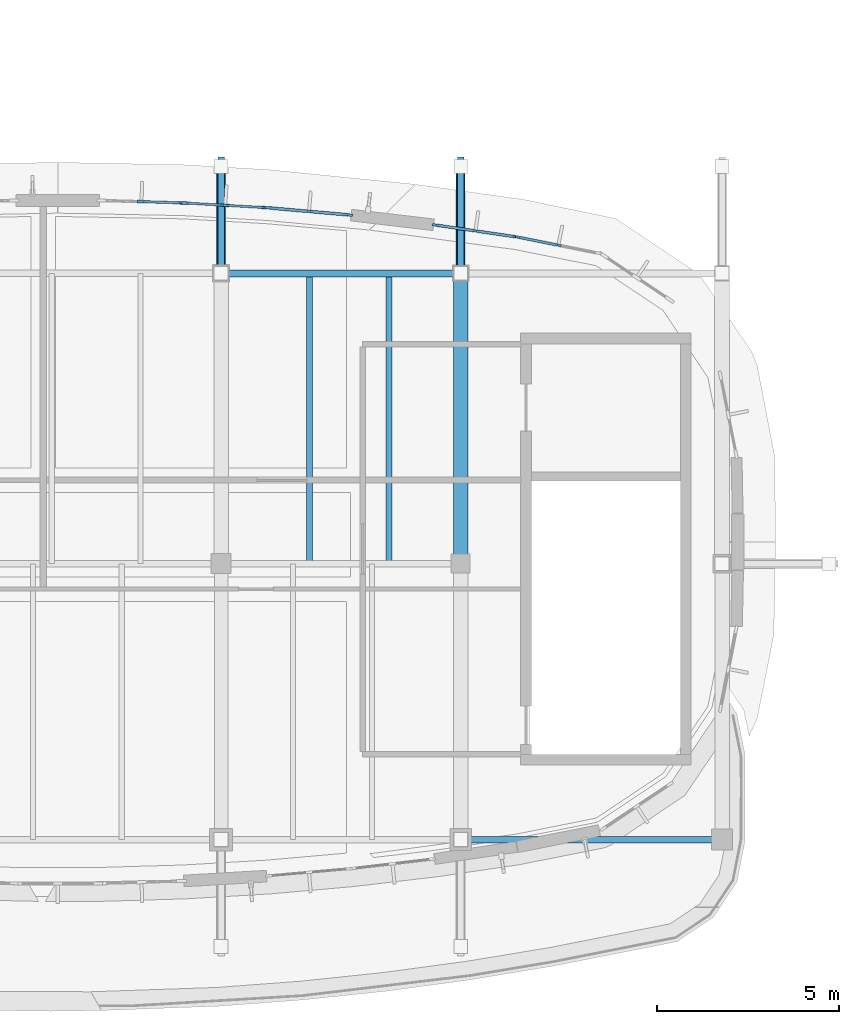
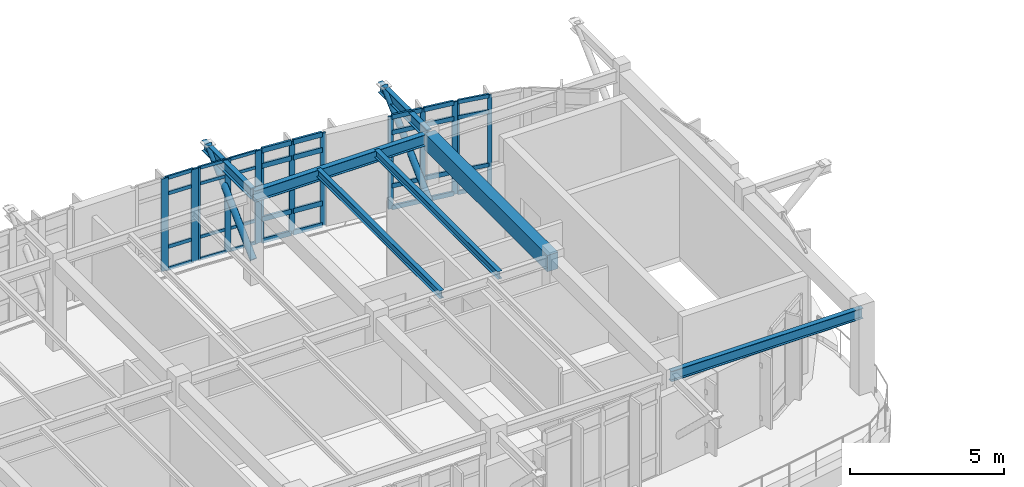
# One storey, part 26 of 105: 47 members, 7 beams, 5 elements without a shape of their own.
"""IFC4 building model written with IfcOpenShell, lengths in metres."""

from ifc_helpers import new_model, si_unit, direction, frame, origin, origin_2d, place, context, subcontext, project, spatial, rectangle, hollow_circle, i_section, extrude, material, material_profile, profile_set, type_object, element, aggregate, save


model = new_model("IFC4")

# Units and contexts
model_context = context("Model", 3, precision=1e-05, world=origin(), true_north=direction((0.0, 1.0)))
body_context = subcontext(model_context, "Body", "Model", "MODEL_VIEW")
ifc_project = project(units=[si_unit("LENGTHUNIT", "METRE"), si_unit("AREAUNIT", "SQUARE_METRE"), si_unit("VOLUMEUNIT", "CUBIC_METRE"), si_unit("PLANEANGLEUNIT", "RADIAN"), si_unit("MASSUNIT", "GRAM", prefix="KILO")], contexts=[model_context])

# Site, building, storey
site_placement = place(None, origin())
site = spatial("IfcSite", under=ifc_project, at=site_placement, CompositionType="ELEMENT")
building_placement = place(site_placement, origin())
building = spatial("IfcBuilding", under=site, at=building_placement, Name="Corveleigh Park Community Centre", CompositionType="ELEMENT")
storey_placement = place(building_placement, frame((0.0, 0.0, 8.699951171875)))
storey = spatial("IfcBuildingStorey", under=building, at=storey_placement, Name="L02", CompositionType="ELEMENT", Elevation=8.699951171875)

# Beams
ifc_material_1 = material(Name="Concrete C40/50", Category="concrete")
ifc_material_profile_1 = material_profile(ifc_material_1, rectangle(XDim=0.39990234375, YDim=0.64990234375, at=origin_2d()), Name="RC-400x650", Category="concrete")
ifc_profile_set_1 = profile_set([ifc_material_profile_1], Name="Concrete C40/50")
beam_type_1 = type_object("IfcBeamType", Name="BM-RC-400x650", PredefinedType="BEAM", material=ifc_profile_set_1)
beam_1_placement = place(storey_placement, frame((100.800048828125, 18.804931640625, 3.287109375), z_axis=(0.0, 1.0, 0.0), x_axis=(-1.0, 0.0, 0.0)))
element("IfcBeam", 1, at=beam_1_placement, inside=storey, type_object=beam_type_1, Name="V3 Girder Y", PredefinedType="BEAM", context=body_context, shape_type="SweptSolid", body=[
    extrude(rectangle(XDim=0.39990234375, YDim=0.64990234375, at=origin_2d()), origin(), (0.0, 0.0, 1.0), 7.989990234375),
])
ifc_material_2 = material(Name="Steel S355", Category="steel")
ifc_material_profile_2 = material_profile(ifc_material_2, i_section(OverallWidth=0.1650390625, OverallDepth=0.303466796875, WebThickness=0.006103515625, FlangeThickness=0.01025390625, at=origin_2d()), Name="UKB 305x165x40", Category="steel")
ifc_profile_set_2 = profile_set([ifc_material_profile_2], Name="Steel S355")
beam_type_2 = type_object("IfcBeamType", Name="BM-STL-UKB305x40", PredefinedType="JOIST", material=ifc_profile_set_2)
for number, where, z_axis, x_axis, name in (
    (2, (96.64208984375, 18.804931640625, 3.46044921875), (0.0, 1.0, 0.0), (-1.0, 0.0, 0.0), "Secondary floor joist"),
    (3, (98.820068359375, 18.804931640625, 3.46044921875), (0.0, 1.0, 0.0), (-1.0, 0.0, 0.0), "Secondary floor joist"),
):
    element("IfcBeam", number, at=place(storey_placement, frame(where, z_axis=z_axis, x_axis=x_axis)), inside=storey, type_object=beam_type_2, Name=name, PredefinedType="JOIST", context=body_context, shape_type="SweptSolid", body=[
        extrude(i_section(OverallWidth=0.1650390625, OverallDepth=0.303466796875, WebThickness=0.006103515625, FlangeThickness=0.01025390625, at=origin_2d()), origin(), (0.0, 0.0, 1.0), 7.989990234375),
    ])
ifc_material_profile_3 = material_profile(ifc_material_2, i_section(OverallWidth=0.1787109375, OverallDepth=0.409423828125, WebThickness=0.0087890625, FlangeThickness=0.014404296875, at=origin_2d()), Name="UKB 406x178x67", Category="steel")
ifc_profile_set_3 = profile_set([ifc_material_profile_3], Name="Steel S355")
beam_type_3 = type_object("IfcBeamType", Name="BM-STL-UKB406x67", PredefinedType="BEAM", material=ifc_profile_set_3)
for number, where, z_axis, x_axis, name in (
    (4, (94.199951171875, 26.81005859375, 3.459228515625), (0.0, 1.0, 0.0), (-1.0, 0.0, 0.0), "V3 Pebble Overhang Strut 4-2 Outrigger"),
    (5, (100.800048828125, 26.81005859375, 3.459228515625), (0.0, 1.0, 0.0), (-1.0, 0.0, 0.0), "V3 Pebble Overhang Strut 5-2 Outrigger"),
):
    element("IfcBeam", number, at=place(storey_placement, frame(where, z_axis=z_axis, x_axis=x_axis)), inside=storey, type_object=beam_type_3, Name=name, PredefinedType="BEAM", context=body_context, shape_type="SweptSolid", body=[
        extrude(i_section(OverallWidth=0.1787109375, OverallDepth=0.409423828125, WebThickness=0.0087890625, FlangeThickness=0.014404296875, at=origin_2d()), origin(), (0.0, 0.0, 1.0), 3.18994140625),
    ])
ifc_material_profile_4 = material_profile(ifc_material_2, i_section(OverallWidth=0.179443359375, OverallDepth=0.412841796875, WebThickness=0.009521484375, FlangeThickness=0.01611328125, at=origin_2d()), Name="UKB 406x178x74", Category="steel")
ifc_profile_set_4 = profile_set([ifc_material_profile_4], Name="Steel S355")
beam_type_4 = type_object("IfcBeamType", Name="BM-STL-UKB406x74", PredefinedType="BEAM", material=ifc_profile_set_4)
beam_2_placement = place(storey_placement, frame((100.804931640625, 11.199951171875, 3.40576171875), z_axis=(1.0, 0.0, 0.0), x_axis=(0.0, 1.0, 0.0)))
element("IfcBeam", 6, at=beam_2_placement, inside=storey, type_object=beam_type_4, Name="V3 Girder X", PredefinedType="BEAM", context=body_context, shape_type="SweptSolid", body=[
    extrude(i_section(OverallWidth=0.179443359375, OverallDepth=0.412841796875, WebThickness=0.009521484375, FlangeThickness=0.01611328125, at=origin_2d()), origin(), (0.0, 0.0, 1.0), 7.190185546875),
])
ifc_material_profile_5 = material_profile(ifc_material_2, i_section(OverallWidth=0.18994140625, OverallDepth=0.453369140625, WebThickness=0.008544921875, FlangeThickness=0.0126953125, at=origin_2d()), Name="UKB 457x191x67", Category="steel")
ifc_profile_set_5 = profile_set([ifc_material_profile_5], Name="Steel S355")
beam_type_5 = type_object("IfcBeamType", Name="BM-STL-UKB457x67", PredefinedType="BEAM", material=ifc_profile_set_5)
beam_3_placement = place(storey_placement, frame((94.205078125, 26.800048828125, 3.38525390625), z_axis=(1.0, 0.0, 0.0), x_axis=(0.0, 1.0, 0.0)))
element("IfcBeam", 7, at=beam_3_placement, inside=storey, type_object=beam_type_5, Name="V3 Girder X", PredefinedType="BEAM", context=body_context, shape_type="SweptSolid", body=[
    extrude(i_section(OverallWidth=0.18994140625, OverallDepth=0.453369140625, WebThickness=0.008544921875, FlangeThickness=0.0126953125, at=origin_2d()), origin(), (0.0, 0.0, 1.0), 6.58984375),
])

# Curtain wall, members
ifc_material_3 = material(Name="Anodised aluminium 6063-T6", Category="aluminium")
curtain_wall_type = type_object("IfcCurtainWallType", Name="CW-SYS-V3-UPP", PredefinedType="NOTDEFINED", material=ifc_material_3)
curtain_wall_1_placement = place(storey_placement, origin())
curtain_wall_1 = element("IfcCurtainWall", 8, at=curtain_wall_1_placement, inside=storey, type_object=curtain_wall_type, Name="V3 L02 Curtain Wall 343", PredefinedType="NOTDEFINED")
ifc_material_profile_6 = material_profile(ifc_material_3, rectangle(XDim=0.06005859375, YDim=0.159912109375, at=origin_2d()), Name="ALU-M60x160", Category="aluminium")
ifc_profile_set_6 = profile_set([ifc_material_profile_6], Name="Anodised aluminium 6063-T6")
member_type_1 = type_object("IfcMemberType", Name="CWM-60x160", PredefinedType="MULLION", material=ifc_profile_set_6)
member_1_placement = place(storey_placement, frame((102.392333984375, 27.792236328125, 0.0), z_axis=(0.0, 0.0, 1.0), x_axis=(0.194947048267, 0.980813768445, 0.0)))
member_1 = element("IfcMember", 9, at=member_1_placement, type_object=member_type_1, Name="CW06 mullion 1", PredefinedType="MULLION", context=body_context, shape_type="SweptSolid", body=[
    extrude(rectangle(XDim=0.06005859375, YDim=0.159912109375, at=origin_2d()), origin(), (0.0, 0.0, 1.0), 3.6640625),
])
member_2_placement = place(storey_placement, frame((103.492431640625, 27.573486328125, 0.0), z_axis=(0.0, 0.0, 1.0), x_axis=(0.194947048267, 0.980813768445, 0.0)))
member_2 = element("IfcMember", 10, at=member_2_placement, type_object=member_type_1, Name="CW06 mullion 2", PredefinedType="MULLION", context=body_context, shape_type="SweptSolid", body=[
    extrude(rectangle(XDim=0.06005859375, YDim=0.159912109375, at=origin_2d()), origin(), (0.0, 0.0, 1.0), 3.6640625),
])

curtain_wall_2_placement = place(storey_placement, origin())
curtain_wall_2 = element("IfcCurtainWall", 11, at=curtain_wall_2_placement, inside=storey, type_object=curtain_wall_type, Name="V3 L02 Curtain Wall 344", PredefinedType="NOTDEFINED")
ifc_material_profile_7 = material_profile(ifc_material_3, rectangle(XDim=0.06494140625, YDim=0.179931640625, at=origin_2d()), Name="ALU-M65x180", Category="aluminium")
ifc_profile_set_7 = profile_set([ifc_material_profile_7], Name="Anodised aluminium 6063-T6")
member_type_2 = type_object("IfcMemberType", Name="CWM-65x180", PredefinedType="MULLION", material=ifc_profile_set_7)
member_3_placement = place(storey_placement, frame((100.107177734375, 28.12939453125, 0.0), z_axis=(0.0, 0.0, 1.0), x_axis=(0.144966003251, 0.989436636628, 0.0)))
member_3 = element("IfcMember", 12, at=member_3_placement, type_object=member_type_2, Name="CW06 mullion 1", PredefinedType="MULLION", context=body_context, shape_type="SweptSolid", body=[
    extrude(rectangle(XDim=0.06494140625, YDim=0.179931640625, at=origin_2d()), origin(), (0.0, 0.0, 1.0), 3.6640625),
])
member_4_placement = place(storey_placement, frame((101.2080078125, 27.968017578125, 0.0), z_axis=(0.0, 0.0, 1.0), x_axis=(0.144966003251, 0.989436636628, 0.0)))
member_4 = element("IfcMember", 13, at=member_4_placement, type_object=member_type_2, Name="CW06 mullion 2", PredefinedType="MULLION", context=body_context, shape_type="SweptSolid", body=[
    extrude(rectangle(XDim=0.06494140625, YDim=0.179931640625, at=origin_2d()), origin(), (0.0, 0.0, 1.0), 3.6640625),
])
member_5_placement = place(storey_placement, frame((102.308837890625, 27.806640625, 0.0), z_axis=(0.0, 0.0, 1.0), x_axis=(0.144966003251, 0.989436636628, 0.0)))
member_5 = element("IfcMember", 14, at=member_5_placement, type_object=member_type_2, Name="CW06 mullion 3", PredefinedType="MULLION", context=body_context, shape_type="SweptSolid", body=[
    extrude(rectangle(XDim=0.06494140625, YDim=0.179931640625, at=origin_2d()), origin(), (0.0, 0.0, 1.0), 3.6640625),
])

curtain_wall_3_placement = place(storey_placement, origin())
curtain_wall_3 = element("IfcCurtainWall", 15, at=curtain_wall_3_placement, inside=storey, type_object=curtain_wall_type, Name="V3 L02 Curtain Wall 345", PredefinedType="NOTDEFINED")
ifc_material_profile_8 = material_profile(ifc_material_3, rectangle(XDim=0.070068359375, YDim=0.199951171875, at=origin_2d()), Name="ALU-M70x200", Category="aluminium")
ifc_profile_set_8 = profile_set([ifc_material_profile_8], Name="Anodised aluminium 6063-T6")
member_type_3 = type_object("IfcMemberType", Name="CWM-70x200", PredefinedType="MULLION", material=ifc_profile_set_8)
member_6_placement = place(storey_placement, frame((95.513916015625, 28.60205078125, 0.0), z_axis=(0.0, 0.0, 1.0), x_axis=(0.0872318769, 0.996188034285, 0.0)))
member_6 = element("IfcMember", 16, at=member_6_placement, type_object=member_type_3, Name="CW06 mullion 1", PredefinedType="MULLION", context=body_context, shape_type="SweptSolid", body=[
    extrude(rectangle(XDim=0.070068359375, YDim=0.199951171875, at=origin_2d()), origin(), (0.0, 0.0, 1.0), 3.6640625),
])
member_7_placement = place(storey_placement, frame((96.62109375, 28.5048828125, 0.0), z_axis=(0.0, 0.0, 1.0), x_axis=(0.0872318769, 0.996188034285, 0.0)))
member_7 = element("IfcMember", 17, at=member_7_placement, type_object=member_type_3, Name="CW06 mullion 2", PredefinedType="MULLION", context=body_context, shape_type="SweptSolid", body=[
    extrude(rectangle(XDim=0.070068359375, YDim=0.199951171875, at=origin_2d()), origin(), (0.0, 0.0, 1.0), 3.6640625),
])
member_8_placement = place(storey_placement, frame((97.72802734375, 28.407958984375, 0.0), z_axis=(0.0, 0.0, 1.0), x_axis=(0.0872318769, 0.996188034285, 0.0)))
member_8 = element("IfcMember", 18, at=member_8_placement, type_object=member_type_3, Name="CW06 mullion 3", PredefinedType="MULLION", context=body_context, shape_type="SweptSolid", body=[
    extrude(rectangle(XDim=0.070068359375, YDim=0.199951171875, at=origin_2d()), origin(), (0.0, 0.0, 1.0), 3.6640625),
])

curtain_wall_4_placement = place(storey_placement, origin())
curtain_wall_4 = element("IfcCurtainWall", 19, at=curtain_wall_4_placement, inside=storey, type_object=curtain_wall_type, Name="V3 L02 Curtain Wall 346", PredefinedType="NOTDEFINED")
ifc_material_profile_9 = material_profile(ifc_material_3, rectangle(XDim=0.074951171875, YDim=0.219970703125, at=origin_2d()), Name="ALU-M75x220", Category="aluminium")
ifc_profile_set_9 = profile_set([ifc_material_profile_9], Name="Anodised aluminium 6063-T6")
member_type_4 = type_object("IfcMemberType", Name="CWM-75x220", PredefinedType="MULLION", material=ifc_profile_set_9)
member_9_placement = place(storey_placement, frame((93.21044921875, 28.73681640625, 0.0), z_axis=(0.0, 0.0, 1.0), x_axis=(0.057596535089, 0.998339941676, 0.0)))
member_9 = element("IfcMember", 20, at=member_9_placement, type_object=member_type_4, Name="CW06 mullion 1", PredefinedType="MULLION", context=body_context, shape_type="SweptSolid", body=[
    extrude(rectangle(XDim=0.074951171875, YDim=0.219970703125, at=origin_2d()), origin(), (0.0, 0.0, 1.0), 3.6640625),
])
member_10_placement = place(storey_placement, frame((94.31689453125, 28.673095703125, 0.0), z_axis=(0.0, 0.0, 1.0), x_axis=(0.057596535089, 0.998339941676, 0.0)))
member_10 = element("IfcMember", 21, at=member_10_placement, type_object=member_type_4, Name="CW06 mullion 2", PredefinedType="MULLION", context=body_context, shape_type="SweptSolid", body=[
    extrude(rectangle(XDim=0.074951171875, YDim=0.219970703125, at=origin_2d()), origin(), (0.0, 0.0, 1.0), 3.6640625),
])
member_11_placement = place(storey_placement, frame((95.423583984375, 28.609130859375, 0.0), z_axis=(0.0, 0.0, 1.0), x_axis=(0.057596535089, 0.998339941676, 0.0)))
member_11 = element("IfcMember", 22, at=member_11_placement, type_object=member_type_4, Name="CW06 mullion 3", PredefinedType="MULLION", context=body_context, shape_type="SweptSolid", body=[
    extrude(rectangle(XDim=0.074951171875, YDim=0.219970703125, at=origin_2d()), origin(), (0.0, 0.0, 1.0), 3.6640625),
])

curtain_wall_5_placement = place(storey_placement, origin())
curtain_wall_5 = element("IfcCurtainWall", 23, at=curtain_wall_5_placement, inside=storey, type_object=curtain_wall_type, Name="V3 L02 Curtain Wall 347", PredefinedType="NOTDEFINED")
ifc_material_profile_10 = material_profile(ifc_material_3, rectangle(XDim=0.080078125, YDim=0.25, at=origin_2d()), Name="ALU-M80x250", Category="aluminium")
ifc_profile_set_10 = profile_set([ifc_material_profile_10], Name="Anodised aluminium 6063-T6")
member_type_5 = type_object("IfcMemberType", Name="CWM-80x250", PredefinedType="MULLION", material=ifc_profile_set_10)
member_12_placement = place(storey_placement, frame((92.009521484375, 28.7734375, 0.0), z_axis=(0.0, 0.0, 1.0), x_axis=(0.029232373224, 0.999572642861, 0.0)))
member_12 = element("IfcMember", 24, at=member_12_placement, type_object=member_type_5, Name="CW06 mullion 2", PredefinedType="MULLION", context=body_context, shape_type="SweptSolid", body=[
    extrude(rectangle(XDim=0.080078125, YDim=0.25, at=origin_2d()), origin(), (0.0, 0.0, 1.0), 3.6640625),
])
member_13_placement = place(storey_placement, frame((93.114990234375, 28.7412109375, 0.0), z_axis=(0.0, 0.0, 1.0), x_axis=(0.029232373224, 0.999572642861, 0.0)))
member_13 = element("IfcMember", 25, at=member_13_placement, type_object=member_type_5, Name="CW06 mullion 3", PredefinedType="MULLION", context=body_context, shape_type="SweptSolid", body=[
    extrude(rectangle(XDim=0.080078125, YDim=0.25, at=origin_2d()), origin(), (0.0, 0.0, 1.0), 3.6640625),
])

# Member
ifc_material_profile_11 = material_profile(ifc_material_3, rectangle(XDim=0.06005859375, YDim=0.1201171875, at=origin_2d()), Name="ALU-T60x120", Category="aluminium")
ifc_profile_set_11 = profile_set([ifc_material_profile_11], Name="Anodised aluminium 6063-T6")
member_type_6 = type_object("IfcMemberType", Name="CWT-60x120", PredefinedType="USERDEFINED", material=ifc_profile_set_11)
member_14_placement = place(storey_placement, frame((93.247802734375, 28.734619140625, 0.030029296875), z_axis=(0.998337328371, -0.057641814511, 0.0), x_axis=(0.057641814511, 0.998337328371, 0.0)))
member_14 = element("IfcMember", 26, at=member_14_placement, type_object=member_type_6, Name="CW06 transom 1.1", ObjectType="TRANSOM", PredefinedType="USERDEFINED", context=body_context, shape_type="SweptSolid", body=[
    extrude(rectangle(XDim=0.06005859375, YDim=0.1201171875, at=origin_2d()), origin(), (0.0, 0.0, 1.0), 1.033447265625),
])

member_15_placement = place(storey_placement, frame((93.247802734375, 28.734619140625, 0.900146484375), z_axis=(0.998337328371, -0.057641814511, 0.0), x_axis=(0.057641814511, 0.998337328371, 0.0)))
member_15 = element("IfcMember", 27, at=member_15_placement, type_object=member_type_6, Name="CW06 transom 1.2", ObjectType="TRANSOM", PredefinedType="USERDEFINED", context=body_context, shape_type="SweptSolid", body=[
    extrude(rectangle(XDim=0.06005859375, YDim=0.1201171875, at=origin_2d()), origin(), (0.0, 0.0, 1.0), 1.033447265625),
])

member_16_placement = place(storey_placement, frame((93.247802734375, 28.734619140625, 3.01416015625), z_axis=(0.998337328371, -0.057641814511, 0.0), x_axis=(0.057641814511, 0.998337328371, 0.0)))
member_16 = element("IfcMember", 28, at=member_16_placement, type_object=member_type_6, Name="CW06 transom 1.3", ObjectType="TRANSOM", PredefinedType="USERDEFINED", context=body_context, shape_type="SweptSolid", body=[
    extrude(rectangle(XDim=0.06005859375, YDim=0.1201171875, at=origin_2d()), origin(), (0.0, 0.0, 1.0), 1.033447265625),
])

member_17_placement = place(storey_placement, frame((93.247802734375, 28.734619140625, 3.634033203125), z_axis=(0.998337328371, -0.057641814511, 0.0), x_axis=(0.057641814511, 0.998337328371, 0.0)))
member_17 = element("IfcMember", 29, at=member_17_placement, type_object=member_type_6, Name="CW06 transom 1.4", ObjectType="TRANSOM", PredefinedType="USERDEFINED", context=body_context, shape_type="SweptSolid", body=[
    extrude(rectangle(XDim=0.06005859375, YDim=0.1201171875, at=origin_2d()), origin(), (0.0, 0.0, 1.0), 1.033447265625),
])

member_18_placement = place(storey_placement, frame((94.3544921875, 28.6708984375, 0.030029296875), z_axis=(0.998337328371, -0.057641814511, 0.0), x_axis=(0.057641814511, 0.998337328371, 0.0)))
member_18 = element("IfcMember", 30, at=member_18_placement, type_object=member_type_6, Name="CW06 transom 2.1", ObjectType="TRANSOM", PredefinedType="USERDEFINED", context=body_context, shape_type="SweptSolid", body=[
    extrude(rectangle(XDim=0.06005859375, YDim=0.1201171875, at=origin_2d()), origin(), (0.0, 0.0, 1.0), 1.033447265625),
])

member_19_placement = place(storey_placement, frame((94.3544921875, 28.6708984375, 0.900146484375), z_axis=(0.998337328371, -0.057641814511, 0.0), x_axis=(0.057641814511, 0.998337328371, 0.0)))
member_19 = element("IfcMember", 31, at=member_19_placement, type_object=member_type_6, Name="CW06 transom 2.2", ObjectType="TRANSOM", PredefinedType="USERDEFINED", context=body_context, shape_type="SweptSolid", body=[
    extrude(rectangle(XDim=0.06005859375, YDim=0.1201171875, at=origin_2d()), origin(), (0.0, 0.0, 1.0), 1.033447265625),
])

member_20_placement = place(storey_placement, frame((94.3544921875, 28.6708984375, 3.01416015625), z_axis=(0.998337328371, -0.057641814511, 0.0), x_axis=(0.057641814511, 0.998337328371, 0.0)))
member_20 = element("IfcMember", 32, at=member_20_placement, type_object=member_type_6, Name="CW06 transom 2.3", ObjectType="TRANSOM", PredefinedType="USERDEFINED", context=body_context, shape_type="SweptSolid", body=[
    extrude(rectangle(XDim=0.06005859375, YDim=0.1201171875, at=origin_2d()), origin(), (0.0, 0.0, 1.0), 1.033447265625),
])

member_21_placement = place(storey_placement, frame((94.3544921875, 28.6708984375, 3.634033203125), z_axis=(0.998337328371, -0.057641814511, 0.0), x_axis=(0.057641814511, 0.998337328371, 0.0)))
member_21 = element("IfcMember", 33, at=member_21_placement, type_object=member_type_6, Name="CW06 transom 2.4", ObjectType="TRANSOM", PredefinedType="USERDEFINED", context=body_context, shape_type="SweptSolid", body=[
    extrude(rectangle(XDim=0.06005859375, YDim=0.1201171875, at=origin_2d()), origin(), (0.0, 0.0, 1.0), 1.033447265625),
])

aggregate(curtain_wall_4, [member_9, member_10, member_11, member_14, member_15, member_16, member_17, member_18, member_19, member_20, member_21])

ifc_material_profile_12 = material_profile(ifc_material_3, rectangle(XDim=0.06494140625, YDim=0.139892578125, at=origin_2d()), Name="ALU-T65x140", Category="aluminium")
ifc_profile_set_12 = profile_set([ifc_material_profile_12], Name="Anodised aluminium 6063-T6")
member_type_7 = type_object("IfcMemberType", Name="CWT-65x140", PredefinedType="USERDEFINED", material=ifc_profile_set_12)
member_22_placement = place(storey_placement, frame((92.049560546875, 28.772216796875, 0.032470703125), z_axis=(0.999578384703, -0.029035372127, 0.0), x_axis=(0.029035372127, 0.999578384703, 0.0)))
member_22 = element("IfcMember", 34, at=member_22_placement, type_object=member_type_7, Name="CW06 transom 2.1", ObjectType="TRANSOM", PredefinedType="USERDEFINED", context=body_context, shape_type="SweptSolid", body=[
    extrude(rectangle(XDim=0.06494140625, YDim=0.139892578125, at=origin_2d()), origin(), (0.0, 0.0, 1.0), 1.02587890625),
])

member_23_placement = place(storey_placement, frame((92.049560546875, 28.772216796875, 0.900146484375), z_axis=(0.999578384703, -0.029035372127, 0.0), x_axis=(0.029035372127, 0.999578384703, 0.0)))
member_23 = element("IfcMember", 35, at=member_23_placement, type_object=member_type_7, Name="CW06 transom 2.2", ObjectType="TRANSOM", PredefinedType="USERDEFINED", context=body_context, shape_type="SweptSolid", body=[
    extrude(rectangle(XDim=0.06494140625, YDim=0.139892578125, at=origin_2d()), origin(), (0.0, 0.0, 1.0), 1.02587890625),
])

member_24_placement = place(storey_placement, frame((92.049560546875, 28.772216796875, 3.01416015625), z_axis=(0.999578384703, -0.029035372127, 0.0), x_axis=(0.029035372127, 0.999578384703, 0.0)))
member_24 = element("IfcMember", 36, at=member_24_placement, type_object=member_type_7, Name="CW06 transom 2.3", ObjectType="TRANSOM", PredefinedType="USERDEFINED", context=body_context, shape_type="SweptSolid", body=[
    extrude(rectangle(XDim=0.06494140625, YDim=0.139892578125, at=origin_2d()), origin(), (0.0, 0.0, 1.0), 1.02587890625),
])

member_25_placement = place(storey_placement, frame((92.049560546875, 28.772216796875, 3.631591796875), z_axis=(0.999578384703, -0.029035372127, 0.0), x_axis=(0.029035372127, 0.999578384703, 0.0)))
member_25 = element("IfcMember", 37, at=member_25_placement, type_object=member_type_7, Name="CW06 transom 2.4", ObjectType="TRANSOM", PredefinedType="USERDEFINED", context=body_context, shape_type="SweptSolid", body=[
    extrude(rectangle(XDim=0.06494140625, YDim=0.139892578125, at=origin_2d()), origin(), (0.0, 0.0, 1.0), 1.02587890625),
])

aggregate(curtain_wall_5, [member_12, member_13, member_22, member_23, member_24, member_25])

ifc_material_profile_13 = material_profile(ifc_material_3, rectangle(XDim=0.070068359375, YDim=0.155029296875, at=origin_2d()), Name="ALU-T70x155", Category="aluminium")
ifc_profile_set_13 = profile_set([ifc_material_profile_13], Name="Anodised aluminium 6063-T6")
member_type_8 = type_object("IfcMemberType", Name="CWT-70x155", PredefinedType="USERDEFINED", material=ifc_profile_set_13)
member_26_placement = place(storey_placement, frame((102.421875, 27.786376953125, 0.03515625), z_axis=(0.980801172703, -0.195010409016, 0.0), x_axis=(0.195010409016, 0.980801172703, 0.0)))
member_26 = element("IfcMember", 38, at=member_26_placement, type_object=member_type_8, Name="CW06 transom 1.1", ObjectType="TRANSOM", PredefinedType="USERDEFINED", context=body_context, shape_type="SweptSolid", body=[
    extrude(rectangle(XDim=0.070068359375, YDim=0.155029296875, at=origin_2d()), origin(), (0.0, 0.0, 1.0), 1.0615234375),
])

member_27_placement = place(storey_placement, frame((102.421875, 27.786376953125, 0.900146484375), z_axis=(0.980801172703, -0.195010409016, 0.0), x_axis=(0.195010409016, 0.980801172703, 0.0)))
member_27 = element("IfcMember", 39, at=member_27_placement, type_object=member_type_8, Name="CW06 transom 1.2", ObjectType="TRANSOM", PredefinedType="USERDEFINED", context=body_context, shape_type="SweptSolid", body=[
    extrude(rectangle(XDim=0.070068359375, YDim=0.155029296875, at=origin_2d()), origin(), (0.0, 0.0, 1.0), 1.0615234375),
])

member_28_placement = place(storey_placement, frame((102.421875, 27.786376953125, 3.01416015625), z_axis=(0.980801172703, -0.195010409016, 0.0), x_axis=(0.195010409016, 0.980801172703, 0.0)))
member_28 = element("IfcMember", 40, at=member_28_placement, type_object=member_type_8, Name="CW06 transom 1.3", ObjectType="TRANSOM", PredefinedType="USERDEFINED", context=body_context, shape_type="SweptSolid", body=[
    extrude(rectangle(XDim=0.070068359375, YDim=0.155029296875, at=origin_2d()), origin(), (0.0, 0.0, 1.0), 1.0615234375),
])

member_29_placement = place(storey_placement, frame((102.421875, 27.786376953125, 3.629150390625), z_axis=(0.980801172703, -0.195010409016, 0.0), x_axis=(0.195010409016, 0.980801172703, 0.0)))
member_29 = element("IfcMember", 41, at=member_29_placement, type_object=member_type_8, Name="CW06 transom 1.4", ObjectType="TRANSOM", PredefinedType="USERDEFINED", context=body_context, shape_type="SweptSolid", body=[
    extrude(rectangle(XDim=0.070068359375, YDim=0.155029296875, at=origin_2d()), origin(), (0.0, 0.0, 1.0), 1.0615234375),
])

aggregate(curtain_wall_1, [member_1, member_2, member_26, member_27, member_28, member_29])

ifc_material_profile_14 = material_profile(ifc_material_3, rectangle(XDim=0.074951171875, YDim=0.175048828125, at=origin_2d()), Name="ALU-T75x175", Category="aluminium")
ifc_profile_set_14 = profile_set([ifc_material_profile_14], Name="Anodised aluminium 6063-T6")
member_type_9 = type_object("IfcMemberType", Name="CWT-75x175", PredefinedType="USERDEFINED", material=ifc_profile_set_14)
member_30_placement = place(storey_placement, frame((100.139404296875, 28.12451171875, 0.03759765625), z_axis=(0.989434984139, -0.144977281539, 0.0), x_axis=(0.144977281539, 0.989434984139, 0.0)))
member_30 = element("IfcMember", 42, at=member_30_placement, type_object=member_type_9, Name="CW06 transom 1.1", ObjectType="TRANSOM", PredefinedType="USERDEFINED", context=body_context, shape_type="SweptSolid", body=[
    extrude(rectangle(XDim=0.074951171875, YDim=0.175048828125, at=origin_2d()), origin(), (0.0, 0.0, 1.0), 1.04736328125),
])

member_31_placement = place(storey_placement, frame((100.139404296875, 28.12451171875, 0.900146484375), z_axis=(0.989434984139, -0.144977281539, 0.0), x_axis=(0.144977281539, 0.989434984139, 0.0)))
member_31 = element("IfcMember", 43, at=member_31_placement, type_object=member_type_9, Name="CW06 transom 1.2", ObjectType="TRANSOM", PredefinedType="USERDEFINED", context=body_context, shape_type="SweptSolid", body=[
    extrude(rectangle(XDim=0.074951171875, YDim=0.175048828125, at=origin_2d()), origin(), (0.0, 0.0, 1.0), 1.04736328125),
])

member_32_placement = place(storey_placement, frame((100.139404296875, 28.12451171875, 3.01416015625), z_axis=(0.989434984139, -0.144977281539, 0.0), x_axis=(0.144977281539, 0.989434984139, 0.0)))
member_32 = element("IfcMember", 44, at=member_32_placement, type_object=member_type_9, Name="CW06 transom 1.3", ObjectType="TRANSOM", PredefinedType="USERDEFINED", context=body_context, shape_type="SweptSolid", body=[
    extrude(rectangle(XDim=0.074951171875, YDim=0.175048828125, at=origin_2d()), origin(), (0.0, 0.0, 1.0), 1.04736328125),
])

member_33_placement = place(storey_placement, frame((100.139404296875, 28.12451171875, 3.62646484375), z_axis=(0.989434984139, -0.144977281539, 0.0), x_axis=(0.144977281539, 0.989434984139, 0.0)))
member_33 = element("IfcMember", 45, at=member_33_placement, type_object=member_type_9, Name="CW06 transom 1.4", ObjectType="TRANSOM", PredefinedType="USERDEFINED", context=body_context, shape_type="SweptSolid", body=[
    extrude(rectangle(XDim=0.074951171875, YDim=0.175048828125, at=origin_2d()), origin(), (0.0, 0.0, 1.0), 1.04736328125),
])

member_34_placement = place(storey_placement, frame((101.240234375, 27.96337890625, 0.03759765625), z_axis=(0.989434984139, -0.144977281539, 0.0), x_axis=(0.144977281539, 0.989434984139, 0.0)))
member_34 = element("IfcMember", 46, at=member_34_placement, type_object=member_type_9, Name="CW06 transom 2.1", ObjectType="TRANSOM", PredefinedType="USERDEFINED", context=body_context, shape_type="SweptSolid", body=[
    extrude(rectangle(XDim=0.074951171875, YDim=0.175048828125, at=origin_2d()), origin(), (0.0, 0.0, 1.0), 1.04736328125),
])

member_35_placement = place(storey_placement, frame((101.240234375, 27.96337890625, 0.900146484375), z_axis=(0.989434984139, -0.144977281539, 0.0), x_axis=(0.144977281539, 0.989434984139, 0.0)))
member_35 = element("IfcMember", 47, at=member_35_placement, type_object=member_type_9, Name="CW06 transom 2.2", ObjectType="TRANSOM", PredefinedType="USERDEFINED", context=body_context, shape_type="SweptSolid", body=[
    extrude(rectangle(XDim=0.074951171875, YDim=0.175048828125, at=origin_2d()), origin(), (0.0, 0.0, 1.0), 1.04736328125),
])

member_36_placement = place(storey_placement, frame((101.240234375, 27.96337890625, 3.01416015625), z_axis=(0.989434984139, -0.144977281539, 0.0), x_axis=(0.144977281539, 0.989434984139, 0.0)))
member_36 = element("IfcMember", 48, at=member_36_placement, type_object=member_type_9, Name="CW06 transom 2.3", ObjectType="TRANSOM", PredefinedType="USERDEFINED", context=body_context, shape_type="SweptSolid", body=[
    extrude(rectangle(XDim=0.074951171875, YDim=0.175048828125, at=origin_2d()), origin(), (0.0, 0.0, 1.0), 1.04736328125),
])

member_37_placement = place(storey_placement, frame((101.240234375, 27.96337890625, 3.62646484375), z_axis=(0.989434984139, -0.144977281539, 0.0), x_axis=(0.144977281539, 0.989434984139, 0.0)))
member_37 = element("IfcMember", 49, at=member_37_placement, type_object=member_type_9, Name="CW06 transom 2.4", ObjectType="TRANSOM", PredefinedType="USERDEFINED", context=body_context, shape_type="SweptSolid", body=[
    extrude(rectangle(XDim=0.074951171875, YDim=0.175048828125, at=origin_2d()), origin(), (0.0, 0.0, 1.0), 1.04736328125),
])

aggregate(curtain_wall_2, [member_3, member_4, member_5, member_30, member_31, member_32, member_33, member_34, member_35, member_36, member_37])

ifc_material_profile_15 = material_profile(ifc_material_3, rectangle(XDim=0.080078125, YDim=0.195068359375, at=origin_2d()), Name="ALU-T80x195", Category="aluminium")
ifc_profile_set_15 = profile_set([ifc_material_profile_15], Name="Anodised aluminium 6063-T6")
member_type_10 = type_object("IfcMemberType", Name="CWT-80x195", PredefinedType="USERDEFINED", material=ifc_profile_set_15)
member_38_placement = place(storey_placement, frame((95.548828125, 28.598876953125, 0.0400390625), z_axis=(0.996189390038, -0.08721639282, 0.0), x_axis=(0.08721639282, 0.996189390038, 0.0)))
member_38 = element("IfcMember", 50, at=member_38_placement, type_object=member_type_10, Name="CW06 transom 1.1", ObjectType="TRANSOM", PredefinedType="USERDEFINED", context=body_context, shape_type="SweptSolid", body=[
    extrude(rectangle(XDim=0.080078125, YDim=0.195068359375, at=origin_2d()), origin(), (0.0, 0.0, 1.0), 1.041259765625),
])

member_39_placement = place(storey_placement, frame((95.548828125, 28.598876953125, 0.900146484375), z_axis=(0.996189390038, -0.08721639282, 0.0), x_axis=(0.08721639282, 0.996189390038, 0.0)))
member_39 = element("IfcMember", 51, at=member_39_placement, type_object=member_type_10, Name="CW06 transom 1.2", ObjectType="TRANSOM", PredefinedType="USERDEFINED", context=body_context, shape_type="SweptSolid", body=[
    extrude(rectangle(XDim=0.080078125, YDim=0.195068359375, at=origin_2d()), origin(), (0.0, 0.0, 1.0), 1.041259765625),
])

member_40_placement = place(storey_placement, frame((95.548828125, 28.598876953125, 3.01416015625), z_axis=(0.996189390038, -0.08721639282, 0.0), x_axis=(0.08721639282, 0.996189390038, 0.0)))
member_40 = element("IfcMember", 52, at=member_40_placement, type_object=member_type_10, Name="CW06 transom 1.3", ObjectType="TRANSOM", PredefinedType="USERDEFINED", context=body_context, shape_type="SweptSolid", body=[
    extrude(rectangle(XDim=0.080078125, YDim=0.195068359375, at=origin_2d()), origin(), (0.0, 0.0, 1.0), 1.041259765625),
])

member_41_placement = place(storey_placement, frame((95.548828125, 28.598876953125, 3.6240234375), z_axis=(0.996189390038, -0.08721639282, 0.0), x_axis=(0.08721639282, 0.996189390038, 0.0)))
member_41 = element("IfcMember", 53, at=member_41_placement, type_object=member_type_10, Name="CW06 transom 1.4", ObjectType="TRANSOM", PredefinedType="USERDEFINED", context=body_context, shape_type="SweptSolid", body=[
    extrude(rectangle(XDim=0.080078125, YDim=0.195068359375, at=origin_2d()), origin(), (0.0, 0.0, 1.0), 1.041259765625),
])

member_42_placement = place(storey_placement, frame((96.65576171875, 28.501953125, 0.0400390625), z_axis=(0.996191172824, -0.087196027362, 0.0), x_axis=(0.087196027362, 0.996191172824, 0.0)))
member_42 = element("IfcMember", 54, at=member_42_placement, type_object=member_type_10, Name="CW06 transom 2.1", ObjectType="TRANSOM", PredefinedType="USERDEFINED", context=body_context, shape_type="SweptSolid", body=[
    extrude(rectangle(XDim=0.080078125, YDim=0.195068359375, at=origin_2d()), origin(), (0.0, 0.0, 1.0), 1.04150390625),
])

member_43_placement = place(storey_placement, frame((96.65576171875, 28.501953125, 0.900146484375), z_axis=(0.996191172824, -0.087196027362, 0.0), x_axis=(0.087196027362, 0.996191172824, 0.0)))
member_43 = element("IfcMember", 55, at=member_43_placement, type_object=member_type_10, Name="CW06 transom 2.2", ObjectType="TRANSOM", PredefinedType="USERDEFINED", context=body_context, shape_type="SweptSolid", body=[
    extrude(rectangle(XDim=0.080078125, YDim=0.195068359375, at=origin_2d()), origin(), (0.0, 0.0, 1.0), 1.04150390625),
])

member_44_placement = place(storey_placement, frame((96.65576171875, 28.501953125, 3.01416015625), z_axis=(0.996191172824, -0.087196027362, 0.0), x_axis=(0.087196027362, 0.996191172824, 0.0)))
member_44 = element("IfcMember", 56, at=member_44_placement, type_object=member_type_10, Name="CW06 transom 2.3", ObjectType="TRANSOM", PredefinedType="USERDEFINED", context=body_context, shape_type="SweptSolid", body=[
    extrude(rectangle(XDim=0.080078125, YDim=0.195068359375, at=origin_2d()), origin(), (0.0, 0.0, 1.0), 1.04150390625),
])

member_45_placement = place(storey_placement, frame((96.65576171875, 28.501953125, 3.6240234375), z_axis=(0.996191172824, -0.087196027362, 0.0), x_axis=(0.087196027362, 0.996191172824, 0.0)))
member_45 = element("IfcMember", 57, at=member_45_placement, type_object=member_type_10, Name="CW06 transom 2.4", ObjectType="TRANSOM", PredefinedType="USERDEFINED", context=body_context, shape_type="SweptSolid", body=[
    extrude(rectangle(XDim=0.080078125, YDim=0.195068359375, at=origin_2d()), origin(), (0.0, 0.0, 1.0), 1.04150390625),
])

aggregate(curtain_wall_3, [member_6, member_7, member_8, member_38, member_39, member_40, member_41, member_42, member_43, member_44, member_45])

# Members
ifc_material_profile_16 = material_profile(ifc_material_2, hollow_circle(Radius=0.122314453125, WallThickness=0.012451171875, at=origin_2d()), Name="CHS 244.5x12.5", Category="steel")
ifc_profile_set_16 = profile_set([ifc_material_profile_16], Name="Steel S355")
member_type_11 = type_object("IfcMemberType", Name="MEM-STR-CHS245", PredefinedType="STRUT", material=ifc_profile_set_16)
for number, where, z_axis, x_axis, name in (
    (58, (94.199951171875, 26.800048828125, 0.85009765625), (0.0, 0.723742424905, 0.690070215553), (-1.0, 0.0, 0.0), "V3 Pebble Overhang Strut 4-2"),
    (59, (100.800048828125, 26.800048828125, 0.85009765625), (0.0, 0.723742424905, 0.690070215553), (-1.0, 0.0, 0.0), "V3 Pebble Overhang Strut 5-2"),
):
    element("IfcMember", number, at=place(storey_placement, frame(where, z_axis=z_axis, x_axis=x_axis)), inside=storey, type_object=member_type_11, Name=name, PredefinedType="STRUT", context=body_context, shape_type="SweptSolid", body=[
        extrude(hollow_circle(Radius=0.122314453125, WallThickness=0.012451171875, at=origin_2d()), origin(), (0.0, 0.0, 1.0), 4.067626953125),
    ])

save(model, "model.ifc")
